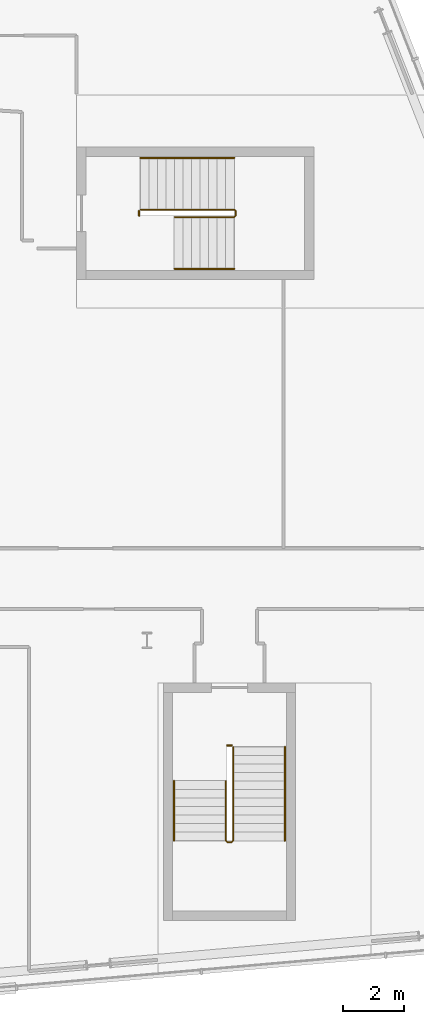
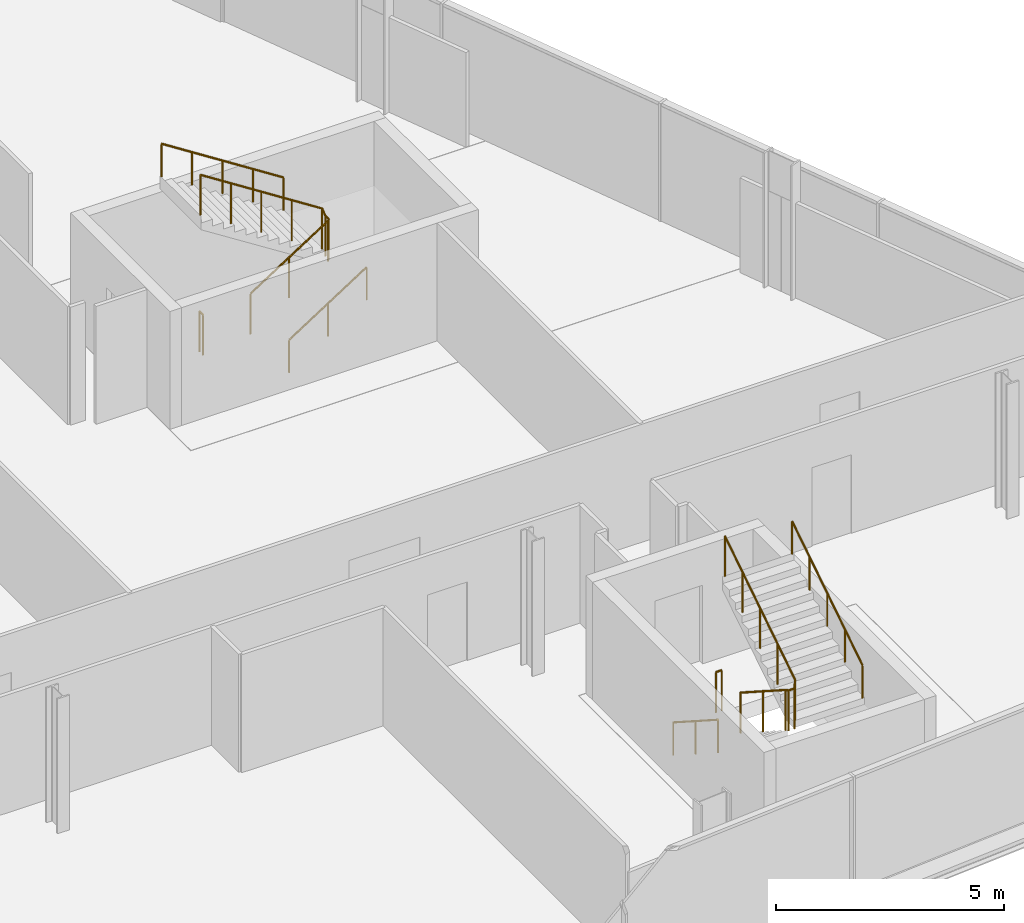
# One storey, part 25 of 25: 8 railings.
"""IFC4 building model written with IfcOpenShell, lengths in metres."""

import ifcopenshell
import ifcopenshell.guid

model = None  # the IFC model being written
_history = None  # IfcOwnerHistory: only IFC2X3 demands one
_inside = {}  # id of a spatial element -> (the spatial element, [elements in it])
_under = {}  # id of a project, library or spatial element -> (it, [spatial elements below it])
_declared = {}  # id of a project -> (the project, [libraries it declares])
_typed = {}  # id of a type object -> (the type object, [elements of that type])
_made_of = {}  # id of a material, layer set ... -> (it, [elements and type objects made of it])


def new_model(schema):
    """Start an empty IFC model of exactly this schema.

    Asked for "IFC4X3", IfcOpenShell would pick the latest addendum, in which some entities
    have other attributes; the version numbers below select the first issue.
    IFC2X3 requires an IfcOwnerHistory on every rooted entity: one is made here for all.
    """
    global model, _history
    if schema == "IFC4X3":
        model = ifcopenshell.file(schema_version=(4, 3, 0, 0))
    else:
        model = ifcopenshell.file(schema=schema)
    _inside.clear()
    _under.clear()
    _declared.clear()
    _typed.clear()
    _made_of.clear()
    _history = None
    if model.schema == "IFC2X3":
        org = make("IfcOrganization", Name="unknown")
        user = make(
            "IfcPersonAndOrganization",
            ThePerson=make("IfcPerson", FamilyName="unknown"),
            TheOrganization=org,
        )
        app = make(
            "IfcApplication",
            ApplicationDeveloper=org,
            Version="unknown",
            ApplicationFullName="unknown",
            ApplicationIdentifier="unknown",
        )
        _history = make(
            "IfcOwnerHistory",
            OwningUser=user,
            OwningApplication=app,
            ChangeAction="ADDED",
            CreationDate=0,
        )
    return model


def make(cls, **values):
    """One entity of the class cls with the attributes given. An attribute that is None is left unset."""
    return model.create_entity(
        cls, **{name: value for name, value in values.items() if value is not None}
    )


def rooted(cls, **values):
    """An entity with a GlobalId (a new one), such as an element, a storey or a relation."""
    return make(cls, GlobalId=ifcopenshell.guid.new(), OwnerHistory=_history, **values)


def si_unit(unit_type, name, prefix=None):
    """IfcSIUnit, for example si_unit("LENGTHUNIT", "METRE", prefix="MILLI")."""
    return make("IfcSIUnit", UnitType=unit_type, Prefix=prefix, Name=name)


def assignment(units):
    """IfcUnitAssignment: the units of a project."""
    return None if units is None else make("IfcUnitAssignment", Units=units)


def point(xyz):
    """IfcCartesianPoint."""
    return None if xyz is None else make("IfcCartesianPoint", Coordinates=xyz)


def direction(xyz):
    """IfcDirection."""
    return None if xyz is None else make("IfcDirection", DirectionRatios=xyz)


def frame(location, z_axis=None, x_axis=None):
    """IfcAxis2Placement3D, a coordinate frame: its origin and axes. An axis left out is left unset."""
    return make(
        "IfcAxis2Placement3D",
        Location=point(location),
        Axis=direction(z_axis),
        RefDirection=direction(x_axis),
    )


def frame_2d(location, x_axis=None):
    """IfcAxis2Placement2D, a coordinate frame in the plane: its origin and x axis."""
    return make(
        "IfcAxis2Placement2D", Location=point(location), RefDirection=direction(x_axis)
    )


def origin():
    """The frame at (0, 0, 0) with its axes left unset."""
    return frame((0.0, 0.0, 0.0))


def origin_2d():
    """The frame at (0, 0) in the plane with its x axis left unset."""
    return frame_2d((0.0, 0.0))


def place(relative_to, where):
    """IfcLocalPlacement: puts the frame where relative to a parent placement (None: the world)."""
    return make(
        "IfcLocalPlacement", PlacementRelTo=relative_to, RelativePlacement=where
    )


def context(
    kind, dimensions, precision=None, world=None, true_north=None, identifier=None
):
    """IfcGeometricRepresentationContext, for example the 3D "Model" context."""
    return make(
        "IfcGeometricRepresentationContext",
        ContextIdentifier=identifier,
        ContextType=kind,
        CoordinateSpaceDimension=dimensions,
        Precision=precision,
        WorldCoordinateSystem=world,
        TrueNorth=true_north,
    )


def subcontext(parent, identifier, kind, view, scale=None):
    """IfcGeometricRepresentationSubContext, for example "Body" below "Model"."""
    return make(
        "IfcGeometricRepresentationSubContext",
        ContextIdentifier=identifier,
        ContextType=kind,
        ParentContext=parent,
        TargetScale=scale,
        TargetView=view,
    )


def project(units=None, contexts=None):
    """IfcProject with its units and contexts."""
    return rooted(
        "IfcProject",
        Name="project",
        RepresentationContexts=contexts,
        UnitsInContext=assignment(units),
    )


def spatial(cls, under=None, at=None, **own):
    """A site, building, storey or space (cls), placed at a placement, below another one or the project."""
    s = rooted(cls, ObjectPlacement=at, **own)
    if under is not None:
        _under.setdefault(under.id(), (under, []))[1].append(s)
    return s


def profile(cls, at=None, kind="AREA", **sizes):
    """A parametric profile (cls). Its sizes go by their IFC names, for example OverallWidth=200.0."""
    return make(cls, ProfileType=kind, Position=at, **sizes)


def circle(**sizes):
    """IfcCircleProfileDef."""
    return profile("IfcCircleProfileDef", **sizes)


def extrude(swept, where, along, depth):
    """IfcExtrudedAreaSolid: the profile swept, set in the frame where, extruded along a direction by depth."""
    return make(
        "IfcExtrudedAreaSolid",
        SweptArea=swept,
        Position=where,
        ExtrudedDirection=direction(along),
        Depth=depth,
    )


def shape(context_of_items, identifier, shape_type, items):
    """IfcShapeRepresentation: the items that make up one representation, for example the "Body"."""
    return make(
        "IfcShapeRepresentation",
        ContextOfItems=context_of_items,
        RepresentationIdentifier=identifier,
        RepresentationType=shape_type,
        Items=items,
    )


def material(Name=None, Category=None):
    """IfcMaterial."""
    return make("IfcMaterial", Name=Name, Category=Category)


def made_of(thing, what):
    """Note that an element or type object is made of a material, layer set ...; save() writes the relation."""
    if what is not None:
        _made_of.setdefault(what.id(), (what, []))[1].append(thing)
    return thing


def type_object(cls, material=None, **own):
    """A type object (cls), such as IfcWallType, which elements share."""
    return made_of(rooted(cls, **own), material)


def element(
    cls,
    number,
    at=None,
    inside=None,
    cuts=None,
    type_object=None,
    material=None,
    context=None,
    identifier="Body",
    shape_type=None,
    held_by="IfcProductDefinitionShape",
    body=None,
    shapes=None,
    **own,
):
    """One element of the class cls, such as IfcWall. Its Tag is "e" and its number.

    at: its placement. inside: the storey or other place that contains it. cuts: it is an
    opening in that element (IfcRelVoidsElement). A single representation is given by context,
    identifier, shape_type and body (its items); several are given by shapes. held_by: the class
    of the entity that holds the representations. save() writes the other relations.
    """
    e = rooted(cls, Tag="e%d" % number, ObjectPlacement=at, **own)
    if body is not None:
        shapes = [shape(context, identifier, shape_type, body)]
    if shapes is not None:
        e.Representation = make(held_by, Representations=shapes)
    if inside is not None:
        _inside.setdefault(inside.id(), (inside, []))[1].append(e)
    if cuts is not None:
        rooted(
            "IfcRelVoidsElement", RelatingBuildingElement=cuts, RelatedOpeningElement=e
        )
    if type_object is not None:
        _typed.setdefault(type_object.id(), (type_object, []))[1].append(e)
    return made_of(e, material)


def aggregate(whole, parts):
    """IfcRelAggregates: a whole, such as a stair, and the parts it consists of."""
    return rooted("IfcRelAggregates", RelatingObject=whole, RelatedObjects=parts)


def save(model, path):
    """Write the relations noted so far, then the file.

    IfcRelAggregates (storeys below a building ...), IfcRelContainedInSpatialStructure (elements
    in a storey), IfcRelDefinesByType, IfcRelAssociatesMaterial and IfcRelDeclares: one each for
    every whole, place, type object, material and project.
    """
    for whole, parts in _under.values():
        aggregate(whole, parts)
    for where, things in _inside.values():
        rooted(
            "IfcRelContainedInSpatialStructure",
            RelatedElements=things,
            RelatingStructure=where,
        )
    for kind, things in _typed.values():
        rooted("IfcRelDefinesByType", RelatedObjects=things, RelatingType=kind)
    for what, things in _made_of.values():
        rooted("IfcRelAssociatesMaterial", RelatedObjects=things, RelatingMaterial=what)
    for by, libraries in _declared.values():
        rooted("IfcRelDeclares", RelatingContext=by, RelatedDefinitions=libraries)
    model.write(path)


model = new_model("IFC4")

# Units and contexts
model_context = context("Model", 3, precision=1e-05, world=origin(), true_north=direction((0.0, 1.0)))
body_context = subcontext(model_context, "Body", "Model", "MODEL_VIEW")
ifc_project = project(units=[si_unit("LENGTHUNIT", "METRE"), si_unit("AREAUNIT", "SQUARE_METRE"), si_unit("VOLUMEUNIT", "CUBIC_METRE"), si_unit("PLANEANGLEUNIT", "RADIAN"), si_unit("MASSUNIT", "GRAM", prefix="KILO")], contexts=[model_context])

# Site, building, storey
site_placement = place(None, origin())
site = spatial("IfcSite", under=ifc_project, at=site_placement, CompositionType="ELEMENT")
building_placement = place(site_placement, origin())
building = spatial("IfcBuilding", under=site, at=building_placement, Name="Wharfspan Tower", CompositionType="ELEMENT")
storey_placement = place(building_placement, frame((0.0, 0.0, 143.5)))
storey = spatial("IfcBuildingStorey", under=building, at=storey_placement, Name="L34", CompositionType="ELEMENT", Elevation=143.5)

# Railings
ifc_material = material(Name="Steel S355J2", Category="steel")
railing_type_1 = type_object("IfcRailingType", Name="Stair guard 1100", PredefinedType="GUARDRAIL", material=ifc_material)
railing_1_placement = place(storey_placement, frame((74.591064, 6.874756, 0.179932)))
element("IfcRailing", 1, at=railing_1_placement, inside=storey, type_object=railing_type_1, Name="L34 ST5 stair guard 1", PredefinedType="GUARDRAIL", context=body_context, shape_type="SweptSolid", body=[
    extrude(circle(Radius=0.023926, at=origin_2d()), frame((0.0, 0.0, 1.076172), z_axis=(0.0, -0.841202, 0.540721), x_axis=(1.0, 0.0, 0.0)), (0.0, 0.0, 1.0), 2.330322),
    extrude(circle(Radius=0.023926, at=origin_2d()), frame((0.0, -1.960205, 2.335938), z_axis=(0.708834, -0.705376, 0.0), x_axis=(0.705376, 0.708834, 0.0)), (0.0, 0.0, 1.0), 0.070557),
    extrude(circle(Radius=0.023926, at=origin_2d()), frame((0.050049, -2.01001, 2.335938), z_axis=(1.0, 0.0, 0.0), x_axis=(0.0, 1.0, 0.0)), (0.0, 0.0, 1.0), 0.149902),
    extrude(circle(Radius=0.023926, at=origin_2d()), frame((0.199951, -2.01001, 2.335938), z_axis=(0.258628, 0.257366, 0.931061), x_axis=(-0.705372, 0.708838, -2e-06)), (0.0, 0.0, 1.0), 0.193604),
    extrude(circle(Radius=0.023926, at=origin_2d()), frame((0.25, -1.960205, 2.516113), z_axis=(0.0, 0.841187, 0.540744), x_axis=(-1.0, 0.0, 0.0)), (0.0, 0.0, 1.0), 3.661621),
    extrude(circle(Radius=0.020996, at=origin_2d()), origin(), (0.0, 0.0, 1.0), 1.052002),
    extrude(circle(Radius=0.020996, at=origin_2d()), frame((0.0, -0.97998, 0.629883)), (0.0, 0.0, 1.0), 1.052002),
    extrude(circle(Radius=0.020996, at=origin_2d()), frame((0.0, -1.960205, 1.26001)), (0.0, 0.0, 1.0), 1.052002),
    extrude(circle(Radius=0.020996, at=origin_2d()), frame((0.050049, -2.01001, 1.26001)), (0.0, 0.0, 1.0), 1.052002),
    extrude(circle(Radius=0.020996, at=origin_2d()), frame((0.199951, -2.01001, 1.26001)), (0.0, 0.0, 1.0), 1.052002),
    extrude(circle(Radius=0.020996, at=origin_2d()), frame((0.25, -1.960205, 1.440186)), (0.0, 0.0, 1.0), 1.052002),
    extrude(circle(Radius=0.020996, at=origin_2d()), frame((0.25, -1.190186, 1.935059)), (0.0, 0.0, 1.0), 1.052002),
    extrude(circle(Radius=0.020996, at=origin_2d()), frame((0.25, -0.420166, 2.430176)), (0.0, 0.0, 1.0), 1.052002),
    extrude(circle(Radius=0.020996, at=origin_2d()), frame((0.25, 0.349854, 2.925293)), (0.0, 0.0, 1.0), 1.052002),
    extrude(circle(Radius=0.020996, at=origin_2d()), frame((0.25, 1.119873, 3.420166)), (0.0, 0.0, 1.0), 1.052002),
])
railing_2_placement = place(storey_placement, frame((74.641113, 8.044678, 0.0)))
element("IfcRailing", 2, at=railing_2_placement, inside=storey, type_object=railing_type_1, Name="L34 ST5 stair guard 2", PredefinedType="GUARDRAIL", context=body_context, shape_type="SweptSolid", body=[
    extrude(circle(Radius=0.023926, at=origin_2d()), frame((0.0, 0.0, 1.076172), z_axis=(1.0, 0.0, 0.0), x_axis=(0.0, 1.0, 0.0)), (0.0, 0.0, 1.0), 0.149902),
    extrude(circle(Radius=0.020996, at=origin_2d()), origin(), (0.0, 0.0, 1.0), 1.052002),
    extrude(circle(Radius=0.020996, at=origin_2d()), frame((0.149902, 0.0, 0.0)), (0.0, 0.0, 1.0), 1.052002),
])
railing_3_placement = place(storey_placement, frame((72.9104, 25.425049, 0.179932)))
element("IfcRailing", 3, at=railing_3_placement, inside=storey, type_object=railing_type_1, Name="L34 ST6 stair guard 1", PredefinedType="GUARDRAIL", context=body_context, shape_type="SweptSolid", body=[
    extrude(circle(Radius=0.023926, at=origin_2d()), frame((0.0, 0.0, 1.076172), z_axis=(0.841172, 0.0, 0.540768), x_axis=(0.0, 1.0, 0.0)), (0.0, 0.0, 1.0), 2.330078),
    extrude(circle(Radius=0.023926, at=origin_2d()), frame((1.959961, 0.0, 2.335938), z_axis=(0.707107, 0.707107, 0.0), x_axis=(-0.707107, 0.707107, 0.0)), (0.0, 0.0, 1.0), 0.070801),
    extrude(circle(Radius=0.023926, at=origin_2d()), frame((2.01001, 0.050049, 2.335938), z_axis=(0.0, 1.0, 0.0), x_axis=(-1.0, 0.0, 0.0)), (0.0, 0.0, 1.0), 0.149902),
    extrude(circle(Radius=0.023926, at=origin_2d()), frame((2.01001, 0.199951, 2.335938), z_axis=(-0.258544, 0.258544, 0.930758), x_axis=(-0.707107, -0.707107, 0.0)), (0.0, 0.0, 1.0), 0.193604),
    extrude(circle(Radius=0.023926, at=origin_2d()), frame((1.959961, 0.25, 2.516113), z_axis=(-0.841187, 0.0, 0.540744), x_axis=(0.0, -1.0, 0.0)), (0.0, 0.0, 1.0), 3.661621),
    extrude(circle(Radius=0.020996, at=origin_2d()), origin(), (0.0, 0.0, 1.0), 1.052002),
    extrude(circle(Radius=0.020996, at=origin_2d()), frame((0.97998, 0.0, 0.629883)), (0.0, 0.0, 1.0), 1.052002),
    extrude(circle(Radius=0.020996, at=origin_2d()), frame((1.959961, 0.0, 1.26001)), (0.0, 0.0, 1.0), 1.052002),
    extrude(circle(Radius=0.020996, at=origin_2d()), frame((2.01001, 0.050049, 1.26001)), (0.0, 0.0, 1.0), 1.052002),
    extrude(circle(Radius=0.020996, at=origin_2d()), frame((2.01001, 0.199951, 1.26001)), (0.0, 0.0, 1.0), 1.052002),
    extrude(circle(Radius=0.020996, at=origin_2d()), frame((1.959961, 0.25, 1.440186)), (0.0, 0.0, 1.0), 1.052002),
    extrude(circle(Radius=0.020996, at=origin_2d()), frame((1.189941, 0.25, 1.935059)), (0.0, 0.0, 1.0), 1.052002),
    extrude(circle(Radius=0.020996, at=origin_2d()), frame((0.419922, 0.25, 2.430176)), (0.0, 0.0, 1.0), 1.052002),
    extrude(circle(Radius=0.020996, at=origin_2d()), frame((-0.350098, 0.25, 2.925293)), (0.0, 0.0, 1.0), 1.052002),
    extrude(circle(Radius=0.020996, at=origin_2d()), frame((-1.120117, 0.25, 3.420166)), (0.0, 0.0, 1.0), 1.052002),
])
railing_4_placement = place(storey_placement, frame((71.740479, 25.475098, 0.0)))
element("IfcRailing", 4, at=railing_4_placement, inside=storey, type_object=railing_type_1, Name="L34 ST6 stair guard 2", PredefinedType="GUARDRAIL", context=body_context, shape_type="SweptSolid", body=[
    extrude(circle(Radius=0.023926, at=origin_2d()), frame((0.0, 0.0, 1.076172), z_axis=(0.0, 1.0, 0.0), x_axis=(-1.0, 0.0, 0.0)), (0.0, 0.0, 1.0), 0.149902),
    extrude(circle(Radius=0.020996, at=origin_2d()), origin(), (0.0, 0.0, 1.0), 1.052002),
    extrude(circle(Radius=0.020996, at=origin_2d()), frame((0.0, 0.149902, 0.0)), (0.0, 0.0, 1.0), 1.052002),
])
railing_type_2 = type_object("IfcRailingType", Name="Stair handrail 900", PredefinedType="HANDRAIL", material=ifc_material)
railing_5_placement = place(storey_placement, frame((72.891113, 6.874756, 0.179932)))
element("IfcRailing", 5, at=railing_5_placement, inside=storey, type_object=railing_type_2, Name="L34 ST5 stair handrail 1", PredefinedType="HANDRAIL", context=body_context, shape_type="SweptSolid", body=[
    extrude(circle(Radius=0.023926, at=origin_2d()), frame((0.0, 0.0, 0.875977), z_axis=(0.0, -0.841202, 0.540721), x_axis=(1.0, 0.0, 0.0)), (0.0, 0.0, 1.0), 2.330322),
    extrude(circle(Radius=0.020996, at=origin_2d()), origin(), (0.0, 0.0, 1.0), 0.851807),
    extrude(circle(Radius=0.020996, at=origin_2d()), frame((0.0, -0.97998, 0.629883)), (0.0, 0.0, 1.0), 0.851807),
    extrude(circle(Radius=0.020996, at=origin_2d()), frame((0.0, -1.960205, 1.26001)), (0.0, 0.0, 1.0), 0.851807),
])
railing_6_placement = place(storey_placement, frame((76.541016, 4.914551, 1.620117)))
element("IfcRailing", 6, at=railing_6_placement, inside=storey, type_object=railing_type_2, Name="L34 ST5 stair handrail 2", PredefinedType="HANDRAIL", context=body_context, shape_type="SweptSolid", body=[
    extrude(circle(Radius=0.023926, at=origin_2d()), frame((0.0, 0.0, 0.875977), z_axis=(0.0, 0.841187, 0.540744), x_axis=(-1.0, 0.0, 0.0)), (0.0, 0.0, 1.0), 3.661621),
    extrude(circle(Radius=0.020996, at=origin_2d()), origin(), (0.0, 0.0, 1.0), 0.851807),
    extrude(circle(Radius=0.020996, at=origin_2d()), frame((0.0, 0.77002, 0.495117)), (0.0, 0.0, 1.0), 0.851807),
    extrude(circle(Radius=0.020996, at=origin_2d()), frame((0.0, 1.540039, 0.98999)), (0.0, 0.0, 1.0), 0.851807),
    extrude(circle(Radius=0.020996, at=origin_2d()), frame((0.0, 2.310059, 1.484863)), (0.0, 0.0, 1.0), 0.851807),
    extrude(circle(Radius=0.020996, at=origin_2d()), frame((0.0, 3.080078, 1.97998)), (0.0, 0.0, 1.0), 0.851807),
])
railing_7_placement = place(storey_placement, frame((72.9104, 23.725098, 0.179932)))
element("IfcRailing", 7, at=railing_7_placement, inside=storey, type_object=railing_type_2, Name="L34 ST6 stair handrail 1", PredefinedType="HANDRAIL", context=body_context, shape_type="SweptSolid", body=[
    extrude(circle(Radius=0.023926, at=origin_2d()), frame((0.0, 0.0, 0.875977), z_axis=(0.841172, 0.0, 0.540768), x_axis=(0.0, 1.0, 0.0)), (0.0, 0.0, 1.0), 2.330078),
    extrude(circle(Radius=0.020996, at=origin_2d()), origin(), (0.0, 0.0, 1.0), 0.851807),
    extrude(circle(Radius=0.020996, at=origin_2d()), frame((0.97998, 0.0, 0.629883)), (0.0, 0.0, 1.0), 0.851807),
    extrude(circle(Radius=0.020996, at=origin_2d()), frame((1.959961, 0.0, 1.26001)), (0.0, 0.0, 1.0), 0.851807),
])
railing_8_placement = place(storey_placement, frame((74.870361, 27.375, 1.620117)))
element("IfcRailing", 8, at=railing_8_placement, inside=storey, type_object=railing_type_2, Name="L34 ST6 stair handrail 2", PredefinedType="HANDRAIL", context=body_context, shape_type="SweptSolid", body=[
    extrude(circle(Radius=0.023926, at=origin_2d()), frame((0.0, 0.0, 0.875977), z_axis=(-0.841187, 0.0, 0.540744), x_axis=(0.0, -1.0, 0.0)), (0.0, 0.0, 1.0), 3.661621),
    extrude(circle(Radius=0.020996, at=origin_2d()), origin(), (0.0, 0.0, 1.0), 0.851807),
    extrude(circle(Radius=0.020996, at=origin_2d()), frame((-0.77002, 0.0, 0.495117)), (0.0, 0.0, 1.0), 0.851807),
    extrude(circle(Radius=0.020996, at=origin_2d()), frame((-1.540039, 0.0, 0.98999)), (0.0, 0.0, 1.0), 0.851807),
    extrude(circle(Radius=0.020996, at=origin_2d()), frame((-2.310059, 0.0, 1.484863)), (0.0, 0.0, 1.0), 0.851807),
    extrude(circle(Radius=0.020996, at=origin_2d()), frame((-3.080078, 0.0, 1.97998)), (0.0, 0.0, 1.0), 0.851807),
])

save(model, "model.ifc")
